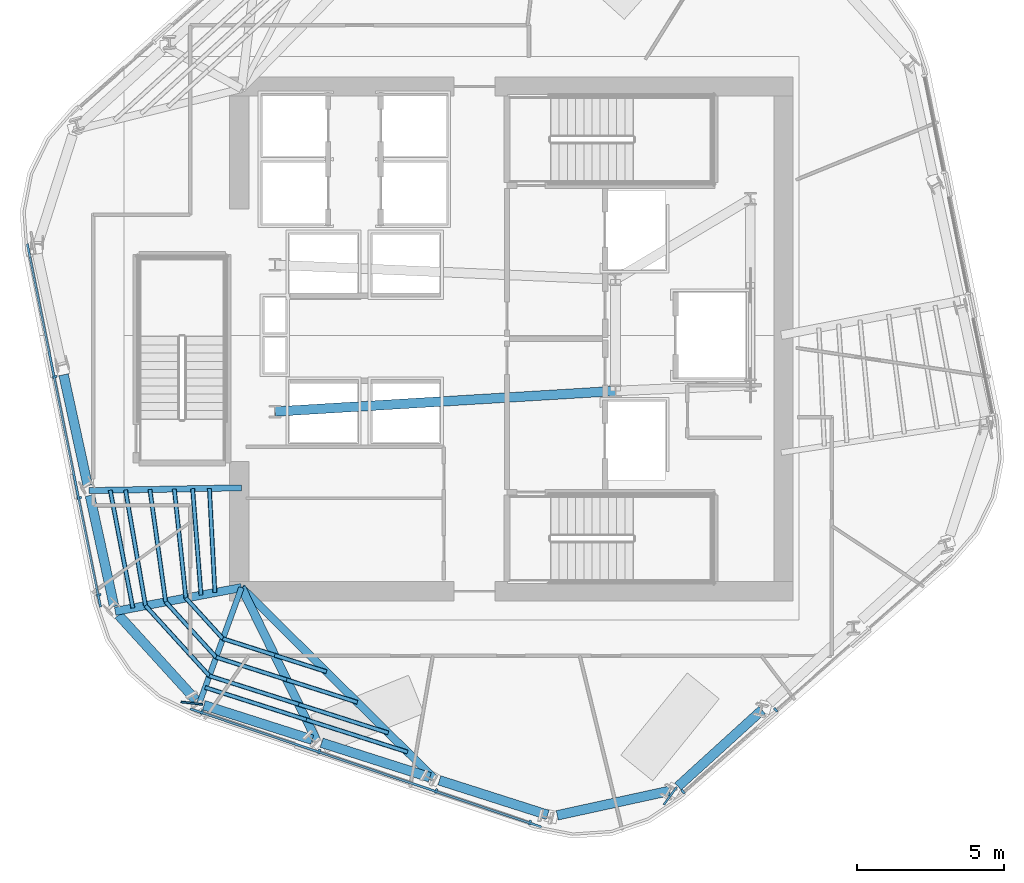
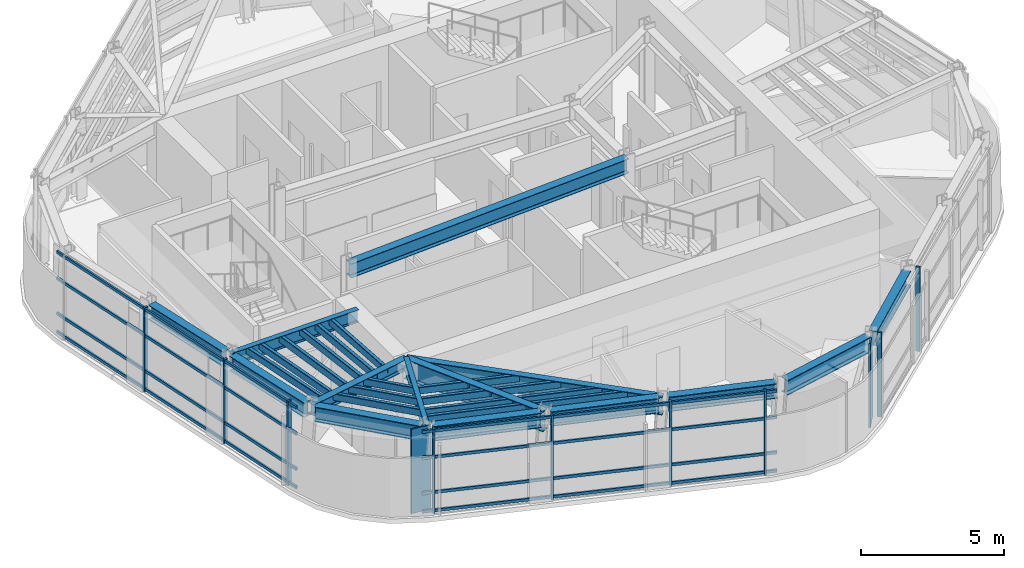
# One storey, part 2 of 15: 36 members, 14 beams, 3 elements without a shape of their own.
"""IFC4 building model written with IfcOpenShell, lengths in metres."""

from ifc_helpers import new_model, si_unit, direction, frame, origin, origin_2d, place, context, subcontext, project, spatial, rectangle, hollow_rectangle, i_section, extrude, material, layer, layer_set, material_profile, profile_set, type_object, element, aggregate, save


model = new_model("IFC4")

# Units and contexts
model_context = context("Model", 3, precision=1e-05, world=origin(), true_north=direction((0.0, 1.0)))
body_context = subcontext(model_context, "Body", "Model", "MODEL_VIEW")
ifc_project = project(units=[si_unit("LENGTHUNIT", "METRE"), si_unit("AREAUNIT", "SQUARE_METRE"), si_unit("VOLUMEUNIT", "CUBIC_METRE"), si_unit("PLANEANGLEUNIT", "RADIAN"), si_unit("MASSUNIT", "GRAM", prefix="KILO")], contexts=[model_context])

# Site, building, storey
site_placement = place(None, origin())
site = spatial("IfcSite", under=ifc_project, at=site_placement, CompositionType="ELEMENT")
building_placement = place(site_placement, origin())
building = spatial("IfcBuilding", under=site, at=building_placement, Name="Valkerne Bourse Tower", CompositionType="ELEMENT")
storey_placement = place(building_placement, frame((0.0, 0.0, 201.800048828125)))
storey = spatial("IfcBuildingStorey", under=building, at=storey_placement, Name="L51", CompositionType="ELEMENT", Elevation=201.800048828125)

# Beams
ifc_material_1 = material(Name="Steel ASTM A992", Category="steel")
ifc_material_profile_1 = material_profile(ifc_material_1, i_section(OverallWidth=0.1904296875, OverallDepth=0.457275390625, WebThickness=0.009033203125, FlangeThickness=0.014404296875, FilletRadius=0.01513671875, at=origin_2d()), Name="W18X50")
ifc_profile_set_1 = profile_set([ifc_material_profile_1], Name="Steel ASTM A992")
beam_type_1 = type_object("IfcBeamType", Name="BM-W18X50", PredefinedType="JOIST", material=ifc_profile_set_1)
beam_1_placement = place(storey_placement, frame((36.16015625, 14.441650390625, 3.371337890625), z_axis=(0.341864062699, 0.939749414809, 0.0), x_axis=(-0.939749414809, 0.341864062699, 0.0)))
element("IfcBeam", 1, at=beam_1_placement, inside=storey, type_object=beam_type_1, Name="L51 Radial Composite Floor Beam 12", PredefinedType="JOIST", context=body_context, shape_type="SweptSolid", body=[
    extrude(i_section(OverallWidth=0.1904296875, OverallDepth=0.457275390625, WebThickness=0.009033203125, FlangeThickness=0.014404296875, FilletRadius=0.01513671875, at=origin_2d()), origin(), (0.0, 0.0, 1.0), 4.2119140625),
])
ifc_material_profile_2 = material_profile(ifc_material_1, i_section(OverallWidth=0.279296875, OverallDepth=0.46240234375, WebThickness=0.0107421875, FlangeThickness=0.017333984375, FilletRadius=0.017822265625, at=origin_2d()), Name="W18X76")
ifc_profile_set_2 = profile_set([ifc_material_profile_2], Name="Steel ASTM A992")
beam_type_2 = type_object("IfcBeamType", Name="BM-W18X76", PredefinedType="BEAM", material=ifc_profile_set_2)
beam_2_placement = place(storey_placement, frame((33.296142578125, 17.589111328125, 3.36865234375), z_axis=(0.982714694077, 0.185126524422, 0.0), x_axis=(-0.185126524422, 0.982714694077, 0.0)))
element("IfcBeam", 2, at=beam_2_placement, inside=storey, type_object=beam_type_2, Name="L51 Radial Composite Floor Beam 11", PredefinedType="BEAM", context=body_context, shape_type="SweptSolid", body=[
    extrude(i_section(OverallWidth=0.279296875, OverallDepth=0.46240234375, WebThickness=0.0107421875, FlangeThickness=0.017333984375, FilletRadius=0.017822265625, at=origin_2d()), origin(), (0.0, 0.0, 1.0), 4.379638671875),
])
ifc_material_profile_3 = material_profile(ifc_material_1, i_section(OverallWidth=0.209228515625, OverallDepth=0.533447265625, WebThickness=0.01025390625, FlangeThickness=0.015625, FilletRadius=0.017822265625, at=origin_2d()), Name="W21X62")
ifc_profile_set_3 = profile_set([ifc_material_profile_3], Name="Steel ASTM A992")
beam_type_3 = type_object("IfcBeamType", Name="BM-W21X62", PredefinedType="JOIST", material=ifc_profile_set_3)
beam_3_placement = place(storey_placement, frame((32.398681640625, 21.70458984375, 3.333251953125), z_axis=(0.999831635412, 0.018349409502, 0.0), x_axis=(-0.018349409502, 0.999831635412, 0.0)))
element("IfcBeam", 3, at=beam_3_placement, inside=storey, type_object=beam_type_3, Name="L51 Radial Composite Floor Beam 10", PredefinedType="JOIST", context=body_context, shape_type="SweptSolid", body=[
    extrude(i_section(OverallWidth=0.209228515625, OverallDepth=0.533447265625, WebThickness=0.01025390625, FlangeThickness=0.015625, FilletRadius=0.017822265625, at=origin_2d()), origin(), (0.0, 0.0, 1.0), 5.202392578125),
])
ifc_material_profile_4 = material_profile(ifc_material_1, i_section(OverallWidth=0.3251953125, OverallDepth=0.612060546875, WebThickness=0.0126953125, FlangeThickness=0.01904296875, FilletRadius=0.020263671875, at=origin_2d()), Name="W24X104")
ifc_profile_set_4 = profile_set([ifc_material_profile_4], Name="Steel ASTM A992")
beam_type_4 = type_object("IfcBeamType", Name="BM-W24X104", PredefinedType="BEAM", material=ifc_profile_set_4)
beam_4_placement = place(storey_placement, frame((38.75, 24.39990234375, 3.2939453125), z_axis=(0.998183228389, 0.060251494276, 0.0), x_axis=(-0.060251494276, 0.998183228389, 0.0)))
element("IfcBeam", 4, at=beam_4_placement, inside=storey, type_object=beam_type_4, Name="L51 Core Frame Girder CG-SW", PredefinedType="BEAM", context=body_context, shape_type="SweptSolid", body=[
    extrude(i_section(OverallWidth=0.3251953125, OverallDepth=0.612060546875, WebThickness=0.0126953125, FlangeThickness=0.01904296875, FilletRadius=0.020263671875, at=origin_2d()), origin(), (0.0, 0.0, 1.0), 11.62109375),
])
ifc_material_profile_5 = material_profile(ifc_material_1, i_section(OverallWidth=0.32763671875, OverallDepth=0.62744140625, WebThickness=0.0166015625, FlangeThickness=0.027587890625, FilletRadius=0.020263671875, at=origin_2d()), Name="W24X146")
ifc_profile_set_5 = profile_set([ifc_material_profile_5], Name="Steel ASTM A992")
beam_type_5 = type_object("IfcBeamType", Name="BM-W24X146", PredefinedType="SPANDREL", material=ifc_profile_set_5)
beam_5_placement = place(storey_placement, frame((31.53759765625, 25.65380859375, 3.2861328125), z_axis=(0.213049984296, -0.97704130117, 0.0), x_axis=(0.97704130117, 0.213049984296, 0.0)))
element("IfcBeam", 5, at=beam_5_placement, inside=storey, type_object=beam_type_5, Name="L51 Hexagonal Spandrel Ring Beam 09", PredefinedType="SPANDREL", context=body_context, shape_type="SweptSolid", body=[
    extrude(i_section(OverallWidth=0.32763671875, OverallDepth=0.62744140625, WebThickness=0.0166015625, FlangeThickness=0.027587890625, FilletRadius=0.020263671875, at=origin_2d()), origin(), (0.0, 0.0, 1.0), 3.8720703125),
])
beam_6_placement = place(storey_placement, frame((32.43505859375, 21.538330078125, 3.2861328125), z_axis=(0.213063109736, -0.977038438993, 0.0), x_axis=(0.977038438993, 0.213063109736, 0.0)))
element("IfcBeam", 6, at=beam_6_placement, inside=storey, type_object=beam_type_5, Name="L51 Hexagonal Spandrel Ring Beam 10", PredefinedType="SPANDREL", context=body_context, shape_type="SweptSolid", body=[
    extrude(i_section(OverallWidth=0.32763671875, OverallDepth=0.62744140625, WebThickness=0.0166015625, FlangeThickness=0.027587890625, FilletRadius=0.020263671875, at=origin_2d()), origin(), (0.0, 0.0, 1.0), 3.871826171875),
])
beam_7_placement = place(storey_placement, frame((33.410400390625, 17.46337890625, 3.2861328125), z_axis=(0.673060621367, -0.739587317337, 0.0), x_axis=(0.739587317337, 0.673060621367, 0.0)))
element("IfcBeam", 7, at=beam_7_placement, inside=storey, type_object=beam_type_5, Name="L51 Hexagonal Spandrel Ring Beam 11", PredefinedType="SPANDREL", context=body_context, shape_type="SweptSolid", body=[
    extrude(i_section(OverallWidth=0.32763671875, OverallDepth=0.62744140625, WebThickness=0.0166015625, FlangeThickness=0.027587890625, FilletRadius=0.020263671875, at=origin_2d()), origin(), (0.0, 0.0, 1.0), 3.915771484375),
])
beam_8_placement = place(storey_placement, frame((36.322265625, 14.389892578125, 3.2861328125), z_axis=(0.952653770716, -0.304057220174, 0.0), x_axis=(0.304057220174, 0.952653770716, 0.0)))
element("IfcBeam", 8, at=beam_8_placement, inside=storey, type_object=beam_type_5, Name="L51 Hexagonal Spandrel Ring Beam 12", PredefinedType="SPANDREL", context=body_context, shape_type="SweptSolid", body=[
    extrude(i_section(OverallWidth=0.32763671875, OverallDepth=0.62744140625, WebThickness=0.0166015625, FlangeThickness=0.027587890625, FilletRadius=0.020263671875, at=origin_2d()), origin(), (0.0, 0.0, 1.0), 3.871826171875),
])
beam_9_placement = place(storey_placement, frame((40.334716796875, 13.109375, 3.2861328125), z_axis=(0.952659599791, -0.304038956264, 0.0), x_axis=(0.304038956264, 0.952659599791, 0.0)))
element("IfcBeam", 9, at=beam_9_placement, inside=storey, type_object=beam_type_5, Name="L51 Hexagonal Spandrel Ring Beam 13", PredefinedType="SPANDREL", context=body_context, shape_type="SweptSolid", body=[
    extrude(i_section(OverallWidth=0.32763671875, OverallDepth=0.62744140625, WebThickness=0.0166015625, FlangeThickness=0.027587890625, FilletRadius=0.020263671875, at=origin_2d()), origin(), (0.0, 0.0, 1.0), 3.8720703125),
])
beam_10_placement = place(storey_placement, frame((44.347412109375, 11.82861328125, 3.2861328125), z_axis=(0.952672034299, -0.303999991882, 0.0), x_axis=(0.303999991882, 0.952672034299, 0.0)))
element("IfcBeam", 10, at=beam_10_placement, inside=storey, type_object=beam_type_5, Name="L51 Hexagonal Spandrel Ring Beam 14", PredefinedType="SPANDREL", context=body_context, shape_type="SweptSolid", body=[
    extrude(i_section(OverallWidth=0.32763671875, OverallDepth=0.62744140625, WebThickness=0.0166015625, FlangeThickness=0.027587890625, FilletRadius=0.020263671875, at=origin_2d()), origin(), (0.0, 0.0, 1.0), 3.871826171875),
])
beam_11_placement = place(storey_placement, frame((48.364013671875, 10.635986328125, 3.2861328125), z_axis=(0.977043375645, 0.213040470588, 0.0), x_axis=(-0.213040470588, 0.977043375645, 0.0)))
element("IfcBeam", 11, at=beam_11_placement, inside=storey, type_object=beam_type_5, Name="L51 Hexagonal Spandrel Ring Beam 15", PredefinedType="SPANDREL", context=body_context, shape_type="SweptSolid", body=[
    extrude(i_section(OverallWidth=0.32763671875, OverallDepth=0.62744140625, WebThickness=0.0166015625, FlangeThickness=0.027587890625, FilletRadius=0.020263671875, at=origin_2d()), origin(), (0.0, 0.0, 1.0), 3.915771484375),
])
beam_12_placement = place(storey_placement, frame((52.481689453125, 11.620849609375, 3.2861328125), z_axis=(0.739643294031, 0.672999106682, 0.0), x_axis=(-0.672999106682, 0.739643294031, 0.0)))
element("IfcBeam", 12, at=beam_12_placement, inside=storey, type_object=beam_type_5, Name="L51 Hexagonal Spandrel Ring Beam 16", PredefinedType="SPANDREL", context=body_context, shape_type="SweptSolid", body=[
    extrude(i_section(OverallWidth=0.32763671875, OverallDepth=0.62744140625, WebThickness=0.0166015625, FlangeThickness=0.027587890625, FilletRadius=0.020263671875, at=origin_2d()), origin(), (0.0, 0.0, 1.0), 3.8720703125),
])
ifc_material_profile_6 = material_profile(ifc_material_1, i_section(OverallWidth=0.26806640625, OverallDepth=0.76953125, WebThickness=0.015625, FlangeThickness=0.025390625, FilletRadius=0.025390625, at=origin_2d()), Name="W30X132")
ifc_profile_set_6 = profile_set([ifc_material_profile_6], Name="Steel ASTM A992")
beam_type_6 = type_object("IfcBeamType", Name="BM-W30X132", PredefinedType="BEAM", material=ifc_profile_set_6)
beam_13_placement = place(storey_placement, frame((44.185302734375, 11.88037109375, 3.215087890625), z_axis=(-0.710641492993, 0.703554310936, 0.0), x_axis=(-0.703554310936, -0.710641492993, 0.0)))
element("IfcBeam", 13, at=beam_13_placement, inside=storey, type_object=beam_type_6, Name="L51 Radial Composite Floor Beam 14", PredefinedType="BEAM", context=body_context, shape_type="SweptSolid", body=[
    extrude(i_section(OverallWidth=0.26806640625, OverallDepth=0.76953125, WebThickness=0.015625, FlangeThickness=0.025390625, FilletRadius=0.025390625, at=origin_2d()), origin(), (0.0, 0.0, 1.0), 9.2666015625),
])
ifc_material_profile_7 = material_profile(ifc_material_1, i_section(OverallWidth=0.2919921875, OverallDepth=0.8583984375, WebThickness=0.01708984375, FlangeThickness=0.031005859375, FilletRadius=0.025390625, at=origin_2d()), Name="W33X169")
ifc_profile_set_7 = profile_set([ifc_material_profile_7], Name="Steel ASTM A992")
beam_type_7 = type_object("IfcBeamType", Name="BM-W33X169", PredefinedType="BEAM", material=ifc_profile_set_7)
beam_14_placement = place(storey_placement, frame((40.1728515625, 13.160888671875, 3.170654296875), z_axis=(-0.440793915777, 0.897608335419, 0.0), x_axis=(-0.897608335419, -0.440793915777, 0.0)))
element("IfcBeam", 14, at=beam_14_placement, inside=storey, type_object=beam_type_7, Name="L51 Radial Composite Floor Beam 13", PredefinedType="BEAM", context=body_context, shape_type="SweptSolid", body=[
    extrude(i_section(OverallWidth=0.2919921875, OverallDepth=0.8583984375, WebThickness=0.01708984375, FlangeThickness=0.031005859375, FilletRadius=0.025390625, at=origin_2d()), origin(), (0.0, 0.0, 1.0), 5.836669921875),
])

# Curtain wall, members
ifc_material_2 = material(Name="Aluminium AA 6063-T6", Category="aluminium")
ifc_layer = layer(ifc_material_2, 0.239990234375)
ifc_layer_set = layer_set([ifc_layer], Name="Aluminium AA 6063-T6")
curtain_wall_type = type_object("IfcCurtainWallType", Name="CW-04", PredefinedType="NOTDEFINED", material=ifc_layer_set)
curtain_wall_1_placement = place(storey_placement, origin())
curtain_wall_1 = element("IfcCurtainWall", 15, at=curtain_wall_1_placement, inside=storey, type_object=curtain_wall_type, Name="L51 Hexagonal Stick Curtain Wall Face 3", PredefinedType="NOTDEFINED")
ifc_material_profile_8 = material_profile(ifc_material_2, rectangle(XDim=0.074951171875, YDim=0.159912109375, at=origin_2d()), Name="CWM-75X160")
ifc_profile_set_8 = profile_set([ifc_material_profile_8], Name="Aluminium AA 6063-T6")
member_type_1 = type_object("IfcMemberType", Name="CW-MUL-160X75", PredefinedType="MULLION", material=ifc_profile_set_8)
member_1_placement = place(storey_placement, frame((31.234619140625, 25.581298828125, 0.0), z_axis=(0.0, 0.0, 1.0), x_axis=(0.197672790823, -0.980268059139, 0.0)))
member_1 = element("IfcMember", 16, at=member_1_placement, type_object=member_type_1, Name="CW-L51-F3 Jamb Mullion 01A", PredefinedType="MULLION", context=body_context, shape_type="SweptSolid", body=[
    extrude(rectangle(XDim=0.074951171875, YDim=0.159912109375, at=origin_2d()), origin(), (0.0, 0.0, 1.0), 3.599853515625),
])
member_2_placement = place(storey_placement, frame((32.067138671875, 21.452392578125, 0.0), z_axis=(0.0, 0.0, 1.0), x_axis=(0.197649976729, -0.980272659365, 0.0)))
member_2 = element("IfcMember", 17, at=member_2_placement, type_object=member_type_1, Name="CW-L51-F3 Jamb Mullion 02A", PredefinedType="MULLION", context=body_context, shape_type="SweptSolid", body=[
    extrude(rectangle(XDim=0.074951171875, YDim=0.159912109375, at=origin_2d()), origin(), (0.0, 0.0, 1.0), 3.599853515625),
])
member_3_placement = place(storey_placement, frame((32.733642578125, 18.14697265625, 0.0), z_axis=(0.0, 0.0, 1.0), x_axis=(0.197649976729, -0.980272659365, 0.0)))
member_3 = element("IfcMember", 18, at=member_3_placement, type_object=member_type_1, Name="CW-L51-F3 Jamb Mullion 02B", PredefinedType="MULLION", context=body_context, shape_type="SweptSolid", body=[
    extrude(rectangle(XDim=0.074951171875, YDim=0.159912109375, at=origin_2d()), origin(), (0.0, 0.0, 1.0), 3.599853515625),
])

curtain_wall_2_placement = place(storey_placement, origin())
curtain_wall_2 = element("IfcCurtainWall", 19, at=curtain_wall_2_placement, inside=storey, type_object=curtain_wall_type, Name="L51 Hexagonal Stick Curtain Wall Face 4", PredefinedType="NOTDEFINED")
member_4_placement = place(storey_placement, frame((36.25390625, 14.154052734375, 0.0), z_axis=(0.0, 0.0, 1.0), x_axis=(0.947765282769, -0.318968601555, 0.0)))
member_4 = element("IfcMember", 20, at=member_4_placement, type_object=member_type_1, Name="CW-L51-F4 Jamb Mullion 00A", PredefinedType="MULLION", context=body_context, shape_type="SweptSolid", body=[
    extrude(rectangle(XDim=0.074951171875, YDim=0.159912109375, at=origin_2d()), origin(), (0.0, 0.0, 1.0), 3.599853515625),
])
member_5_placement = place(storey_placement, frame((40.245849609375, 12.810546875, 0.0), z_axis=(0.0, 0.0, 1.0), x_axis=(0.947772459851, -0.318947275184, 0.0)))
member_5 = element("IfcMember", 21, at=member_5_placement, type_object=member_type_1, Name="CW-L51-F4 Jamb Mullion 01A", PredefinedType="MULLION", context=body_context, shape_type="SweptSolid", body=[
    extrude(rectangle(XDim=0.074951171875, YDim=0.159912109375, at=origin_2d()), origin(), (0.0, 0.0, 1.0), 3.599853515625),
])
member_6_placement = place(storey_placement, frame((44.23779296875, 11.46728515625, 0.0), z_axis=(0.0, 0.0, 1.0), x_axis=(0.947765282769, -0.318968601555, 0.0)))
member_6 = element("IfcMember", 22, at=member_6_placement, type_object=member_type_1, Name="CW-L51-F4 Jamb Mullion 02A", PredefinedType="MULLION", context=body_context, shape_type="SweptSolid", body=[
    extrude(rectangle(XDim=0.074951171875, YDim=0.159912109375, at=origin_2d()), origin(), (0.0, 0.0, 1.0), 3.599853515625),
])
member_7_placement = place(storey_placement, frame((47.43359375, 10.3916015625, 0.0), z_axis=(0.0, 0.0, 1.0), x_axis=(0.947765282769, -0.318968601555, 0.0)))
member_7 = element("IfcMember", 23, at=member_7_placement, type_object=member_type_1, Name="CW-L51-F4 Jamb Mullion 02B", PredefinedType="MULLION", context=body_context, shape_type="SweptSolid", body=[
    extrude(rectangle(XDim=0.074951171875, YDim=0.159912109375, at=origin_2d()), origin(), (0.0, 0.0, 1.0), 3.599853515625),
])

curtain_wall_3_placement = place(storey_placement, origin())
curtain_wall_3 = element("IfcCurtainWall", 24, at=curtain_wall_3_placement, inside=storey, type_object=curtain_wall_type, Name="L51 Hexagonal Stick Curtain Wall Face 5", PredefinedType="NOTDEFINED")
member_8_placement = place(storey_placement, frame((52.65185546875, 11.44384765625, 0.0), z_axis=(0.0, 0.0, 1.0), x_axis=(0.750119777976, 0.661301987513, 0.0)))
member_8 = element("IfcMember", 25, at=member_8_placement, type_object=member_type_1, Name="CW-L51-F5 Jamb Mullion 00A", PredefinedType="MULLION", context=body_context, shape_type="SweptSolid", body=[
    extrude(rectangle(XDim=0.074951171875, YDim=0.159912109375, at=origin_2d()), origin(), (0.0, 0.0, 1.0), 3.599853515625),
])
member_9_placement = place(storey_placement, frame((55.811279296875, 14.229248046875, 0.0), z_axis=(0.0, 0.0, 1.0), x_axis=(0.750097617551, 0.6613271234, 0.0)))
member_9 = element("IfcMember", 26, at=member_9_placement, type_object=member_type_1, Name="CW-L51-F5 Jamb Mullion 01A", PredefinedType="MULLION", context=body_context, shape_type="SweptSolid", body=[
    extrude(rectangle(XDim=0.074951171875, YDim=0.159912109375, at=origin_2d()), origin(), (0.0, 0.0, 1.0), 3.599853515625),
])
aggregate(curtain_wall_3, [member_8, member_9])

# Member
ifc_material_profile_9 = material_profile(ifc_material_2, rectangle(XDim=0.074951171875, YDim=0.1201171875, at=origin_2d()), Name="CWT-75X120")
ifc_profile_set_9 = profile_set([ifc_material_profile_9], Name="Aluminium AA 6063-T6")
member_type_2 = type_object("IfcMemberType", Name="CW-TRN-120X75", PredefinedType="USERDEFINED", material=ifc_profile_set_9)
member_10_placement = place(storey_placement, frame((30.29931640625, 30.117919921875, 0.119873046875), z_axis=(0.197672711236, -0.980268075188, 0.0), x_axis=(0.980268075188, 0.197672711236, 0.0)))
member_10 = element("IfcMember", 27, at=member_10_placement, type_object=member_type_2, Name="CW-L51-F3 Continuous Face Transom 1", ObjectType="TRANSOM", PredefinedType="USERDEFINED", context=body_context, shape_type="SweptSolid", body=[
    extrude(rectangle(XDim=0.074951171875, YDim=0.1201171875, at=origin_2d()), origin(), (0.0, 0.0, 1.0), 12.635986328125),
])

member_11_placement = place(storey_placement, frame((30.29931640625, 30.117919921875, 0.89990234375), z_axis=(0.197672711236, -0.980268075188, 0.0), x_axis=(0.980268075188, 0.197672711236, 0.0)))
member_11 = element("IfcMember", 28, at=member_11_placement, type_object=member_type_2, Name="CW-L51-F3 Continuous Face Transom 2", ObjectType="TRANSOM", PredefinedType="USERDEFINED", context=body_context, shape_type="SweptSolid", body=[
    extrude(rectangle(XDim=0.074951171875, YDim=0.1201171875, at=origin_2d()), origin(), (0.0, 0.0, 1.0), 12.635986328125),
])

member_12_placement = place(storey_placement, frame((30.29931640625, 30.117919921875, 2.39990234375), z_axis=(0.197672711236, -0.980268075188, 0.0), x_axis=(0.980268075188, 0.197672711236, 0.0)))
member_12 = element("IfcMember", 29, at=member_12_placement, type_object=member_type_2, Name="CW-L51-F3 Continuous Face Transom 3", ObjectType="TRANSOM", PredefinedType="USERDEFINED", context=body_context, shape_type="SweptSolid", body=[
    extrude(rectangle(XDim=0.074951171875, YDim=0.1201171875, at=origin_2d()), origin(), (0.0, 0.0, 1.0), 12.635986328125),
])

member_13_placement = place(storey_placement, frame((30.29931640625, 30.117919921875, 3.52001953125), z_axis=(0.197672711236, -0.980268075188, 0.0), x_axis=(0.980268075188, 0.197672711236, 0.0)))
member_13 = element("IfcMember", 30, at=member_13_placement, type_object=member_type_2, Name="CW-L51-F3 Continuous Face Transom 4", ObjectType="TRANSOM", PredefinedType="USERDEFINED", context=body_context, shape_type="SweptSolid", body=[
    extrude(rectangle(XDim=0.074951171875, YDim=0.1201171875, at=origin_2d()), origin(), (0.0, 0.0, 1.0), 12.635986328125),
])

aggregate(curtain_wall_1, [member_10, member_11, member_12, member_13, member_1, member_2, member_3])

member_14_placement = place(storey_placement, frame((35.849365234375, 14.26904296875, 0.119873046875), z_axis=(0.947771300516, -0.318950720204, 0.0), x_axis=(0.318950720204, 0.947771300516, 0.0)))
member_14 = element("IfcMember", 31, at=member_14_placement, type_object=member_type_2, Name="CW-L51-F4 Continuous Face Transom 1", ObjectType="TRANSOM", PredefinedType="USERDEFINED", context=body_context, shape_type="SweptSolid", body=[
    extrude(rectangle(XDim=0.074951171875, YDim=0.1201171875, at=origin_2d()), origin(), (0.0, 0.0, 1.0), 12.635986328125),
])

member_15_placement = place(storey_placement, frame((35.849365234375, 14.26904296875, 0.89990234375), z_axis=(0.947771300516, -0.318950720204, 0.0), x_axis=(0.318950720204, 0.947771300516, 0.0)))
member_15 = element("IfcMember", 32, at=member_15_placement, type_object=member_type_2, Name="CW-L51-F4 Continuous Face Transom 2", ObjectType="TRANSOM", PredefinedType="USERDEFINED", context=body_context, shape_type="SweptSolid", body=[
    extrude(rectangle(XDim=0.074951171875, YDim=0.1201171875, at=origin_2d()), origin(), (0.0, 0.0, 1.0), 12.635986328125),
])

member_16_placement = place(storey_placement, frame((35.849365234375, 14.26904296875, 2.39990234375), z_axis=(0.947771300516, -0.318950720204, 0.0), x_axis=(0.318950720204, 0.947771300516, 0.0)))
member_16 = element("IfcMember", 33, at=member_16_placement, type_object=member_type_2, Name="CW-L51-F4 Continuous Face Transom 3", ObjectType="TRANSOM", PredefinedType="USERDEFINED", context=body_context, shape_type="SweptSolid", body=[
    extrude(rectangle(XDim=0.074951171875, YDim=0.1201171875, at=origin_2d()), origin(), (0.0, 0.0, 1.0), 12.635986328125),
])

member_17_placement = place(storey_placement, frame((35.849365234375, 14.26904296875, 3.52001953125), z_axis=(0.947771300516, -0.318950720204, 0.0), x_axis=(0.318950720204, 0.947771300516, 0.0)))
member_17 = element("IfcMember", 34, at=member_17_placement, type_object=member_type_2, Name="CW-L51-F4 Continuous Face Transom 4", ObjectType="TRANSOM", PredefinedType="USERDEFINED", context=body_context, shape_type="SweptSolid", body=[
    extrude(rectangle(XDim=0.074951171875, YDim=0.1201171875, at=origin_2d()), origin(), (0.0, 0.0, 1.0), 12.635986328125),
])

aggregate(curtain_wall_2, [member_14, member_15, member_16, member_17, member_4, member_5, member_6, member_7])

# Members
ifc_material_3 = material(Name="Bronze Anodised Aluminium AA 6063-T6", Category="aluminium")
ifc_material_profile_10 = material_profile(ifc_material_3, rectangle(XDim=0.06494140625, YDim=0.75, at=origin_2d()), Name="FIN-65X750")
ifc_profile_set_10 = profile_set([ifc_material_profile_10], Name="Bronze Anodised Aluminium AA 6063-T6")
member_type_3 = type_object("IfcMemberType", Name="FIN-SOLAR-650", PredefinedType="USERDEFINED", material=ifc_profile_set_10)
for number, where, z_axis, x_axis, name in (
    (35, (35.9130859375, 14.458740234375, 0.00390625), (0.0, 0.0, 1.0), (-0.117380153608, -0.993087055368, 0.0), "L51 Bronze Anodised Solar Fin F4-00"),
    (36, (52.2177734375, 11.301025390625, 0.00390625), (0.0, 0.0, 1.0), (0.80667211329, -0.590999239966, 0.0), "L51 Bronze Anodised Solar Fin F5-00"),
):
    element("IfcMember", number, at=place(storey_placement, frame(where, z_axis=z_axis, x_axis=x_axis)), inside=storey, type_object=member_type_3, Name=name, ObjectType="SOLAR_FIN", PredefinedType="USERDEFINED", context=body_context, shape_type="SweptSolid", body=[
        extrude(rectangle(XDim=0.06494140625, YDim=0.75, at=origin_2d()), origin(), (0.0, 0.0, 1.0), 3.592041015625),
    ])
ifc_material_4 = material(Name="Steel ASTM A500 Grade C", Category="steel")
ifc_material_profile_11 = material_profile(ifc_material_4, hollow_rectangle(XDim=0.14990234375, YDim=0.300048828125, WallThickness=0.012451171875, OuterFilletRadius=0.02490234375, at=origin_2d()), Name="HSS300X150X12.5")
ifc_profile_set_11 = profile_set([ifc_material_profile_11], Name="Steel ASTM A500 Grade C")
member_type_4 = type_object("IfcMemberType", Name="MBR-HSS300X150X12.5", PredefinedType="PURLIN", material=ifc_profile_set_11)
member_18_placement = place(storey_placement, frame((35.935546875, 21.769287109375, 3.43994140625), z_axis=(0.078937516738, -0.99687956567, 0.0), x_axis=(0.99687956567, 0.078937516738, 0.0)))
element("IfcMember", 37, at=member_18_placement, inside=storey, type_object=member_type_4, Name="L51 Secondary Composite Floor Purlin I-10", PredefinedType="PURLIN", context=body_context, shape_type="SweptSolid", body=[
    extrude(hollow_rectangle(XDim=0.14990234375, YDim=0.300048828125, WallThickness=0.012451171875, OuterFilletRadius=0.02490234375, at=origin_2d()), origin(), (0.0, 0.0, 1.0), 3.640380859375),
])
member_19_placement = place(storey_placement, frame((35.3115234375, 21.758056640625, 3.43994140625), z_axis=(0.10567468587, -0.994400754609, 0.0), x_axis=(0.994400754609, 0.10567468587, 0.0)))
element("IfcMember", 38, at=member_19_placement, inside=storey, type_object=member_type_4, Name="L51 Secondary Composite Floor Purlin K-10", PredefinedType="PURLIN", context=body_context, shape_type="SweptSolid", body=[
    extrude(hollow_rectangle(XDim=0.14990234375, YDim=0.300048828125, WallThickness=0.012451171875, OuterFilletRadius=0.02490234375, at=origin_2d()), origin(), (0.0, 0.0, 1.0), 3.73583984375),
])
member_20_placement = place(storey_placement, frame((35.706298828125, 18.043212890625, 3.43994140625), z_axis=(0.673010172453, -0.73963322517, 0.0), x_axis=(0.73963322517, 0.673010172453, 0.0)))
element("IfcMember", 39, at=member_20_placement, inside=storey, type_object=member_type_4, Name="L51 Secondary Composite Floor Purlin K-11", PredefinedType="PURLIN", context=body_context, shape_type="SweptSolid", body=[
    extrude(hollow_rectangle(XDim=0.14990234375, YDim=0.300048828125, WallThickness=0.012451171875, OuterFilletRadius=0.02490234375, at=origin_2d()), origin(), (0.0, 0.0, 1.0), 1.87255859375),
])
member_21_placement = place(storey_placement, frame((36.966552734375, 16.658203125, 3.43994140625), z_axis=(0.95265027984, -0.30406815736, 0.0), x_axis=(0.30406815736, 0.95265027984, 0.0)))
element("IfcMember", 40, at=member_21_placement, inside=storey, type_object=member_type_4, Name="L51 Secondary Composite Floor Purlin K-12", PredefinedType="PURLIN", context=body_context, shape_type="SweptSolid", body=[
    extrude(hollow_rectangle(XDim=0.14990234375, YDim=0.300048828125, WallThickness=0.012451171875, OuterFilletRadius=0.02490234375, at=origin_2d()), origin(), (0.0, 0.0, 1.0), 1.85302734375),
])
member_22_placement = place(storey_placement, frame((38.73193359375, 16.0947265625, 3.43994140625), z_axis=(0.95270060606, -0.303910439461, 0.0), x_axis=(0.303910439461, 0.95270060606, 0.0)))
element("IfcMember", 41, at=member_22_placement, inside=storey, type_object=member_type_4, Name="L51 Secondary Composite Floor Purlin K-13", PredefinedType="PURLIN", context=body_context, shape_type="SweptSolid", body=[
    extrude(hollow_rectangle(XDim=0.14990234375, YDim=0.300048828125, WallThickness=0.012451171875, OuterFilletRadius=0.02490234375, at=origin_2d()), origin(), (0.0, 0.0, 1.0), 1.853271484375),
])
member_23_placement = place(storey_placement, frame((33.647216796875, 21.727294921875, 3.43994140625), z_axis=(0.170380830881, -0.985378289018, 0.0), x_axis=(0.985378289018, 0.170380830881, 0.0)))
element("IfcMember", 42, at=member_23_placement, inside=storey, type_object=member_type_4, Name="L51 Secondary Composite Floor Purlin O-10", PredefinedType="PURLIN", context=body_context, shape_type="SweptSolid", body=[
    extrude(hollow_rectangle(XDim=0.14990234375, YDim=0.300048828125, WallThickness=0.012451171875, OuterFilletRadius=0.02490234375, at=origin_2d()), origin(), (0.0, 0.0, 1.0), 4.002197265625),
])
member_24_placement = place(storey_placement, frame((34.3291015625, 17.78369140625, 3.43994140625), z_axis=(0.673033407485, -0.739612082384, 0.0), x_axis=(0.739612082384, 0.673033407485, 0.0)))
element("IfcMember", 43, at=member_24_placement, inside=storey, type_object=member_type_4, Name="L51 Secondary Composite Floor Purlin O-11", PredefinedType="PURLIN", context=body_context, shape_type="SweptSolid", body=[
    extrude(hollow_rectangle(XDim=0.14990234375, YDim=0.300048828125, WallThickness=0.012451171875, OuterFilletRadius=0.02490234375, at=origin_2d()), origin(), (0.0, 0.0, 1.0), 3.234130859375),
])
for number, where, z_axis, x_axis, name in (
    (44, (36.505859375, 15.3916015625, 3.43994140625), (0.952670021067, -0.304006300855, 0.0), (0.304006300855, 0.952670021067, 0.0), "L51 Secondary Composite Floor Purlin O-12"),
    (45, (39.555419921875, 14.41845703125, 3.43994140625), (0.952647930354, -0.304075518239, 0.0), (0.304075518239, 0.952647930354, 0.0), "L51 Secondary Composite Floor Purlin O-13"),
):
    element("IfcMember", number, at=place(storey_placement, frame(where, z_axis=z_axis, x_axis=x_axis)), inside=storey, type_object=member_type_4, Name=name, PredefinedType="PURLIN", context=body_context, shape_type="SweptSolid", body=[
        extrude(hollow_rectangle(XDim=0.14990234375, YDim=0.300048828125, WallThickness=0.012451171875, OuterFilletRadius=0.02490234375, at=origin_2d()), origin(), (0.0, 0.0, 1.0), 3.201171875),
    ])
member_25_placement = place(storey_placement, frame((34.479248046875, 21.74267578125, 3.43994140625), z_axis=(0.139220004715, -0.990261475716, 0.0), x_axis=(0.990261475716, 0.139220004715, 0.0)))
element("IfcMember", 46, at=member_25_placement, inside=storey, type_object=member_type_4, Name="L51 Secondary Composite Floor Purlin Z-10", PredefinedType="PURLIN", context=body_context, shape_type="SweptSolid", body=[
    extrude(hollow_rectangle(XDim=0.14990234375, YDim=0.300048828125, WallThickness=0.012451171875, OuterFilletRadius=0.02490234375, at=origin_2d()), origin(), (0.0, 0.0, 1.0), 3.86669921875),
])
member_26_placement = place(storey_placement, frame((35.017578125, 17.91357421875, 3.43994140625), z_axis=(0.673001090829, -0.739641488657, 0.0), x_axis=(0.739641488657, 0.673001090829, 0.0)))
element("IfcMember", 47, at=member_26_placement, inside=storey, type_object=member_type_4, Name="L51 Secondary Composite Floor Purlin Z-11", PredefinedType="PURLIN", context=body_context, shape_type="SweptSolid", body=[
    extrude(hollow_rectangle(XDim=0.14990234375, YDim=0.300048828125, WallThickness=0.012451171875, OuterFilletRadius=0.02490234375, at=origin_2d()), origin(), (0.0, 0.0, 1.0), 2.553466796875),
])
member_27_placement = place(storey_placement, frame((36.736083984375, 16.02490234375, 3.43994140625), z_axis=(0.95267171209, -0.304001001617, 0.0), x_axis=(0.304001001617, 0.95267171209, 0.0)))
element("IfcMember", 48, at=member_27_placement, inside=storey, type_object=member_type_4, Name="L51 Secondary Composite Floor Purlin Z-12", PredefinedType="PURLIN", context=body_context, shape_type="SweptSolid", body=[
    extrude(hollow_rectangle(XDim=0.14990234375, YDim=0.300048828125, WallThickness=0.012451171875, OuterFilletRadius=0.02490234375, at=origin_2d()), origin(), (0.0, 0.0, 1.0), 2.52734375),
])
member_28_placement = place(storey_placement, frame((39.143798828125, 15.256591796875, 3.43994140625), z_axis=(0.952662783389, -0.304028980765, 0.0), x_axis=(0.304028980765, 0.952662783389, 0.0)))
element("IfcMember", 49, at=member_28_placement, inside=storey, type_object=member_type_4, Name="L51 Secondary Composite Floor Purlin Z-13", PredefinedType="PURLIN", context=body_context, shape_type="SweptSolid", body=[
    extrude(hollow_rectangle(XDim=0.14990234375, YDim=0.300048828125, WallThickness=0.012451171875, OuterFilletRadius=0.02490234375, at=origin_2d()), origin(), (0.0, 0.0, 1.0), 2.527099609375),
])
member_29_placement = place(storey_placement, frame((36.5078125, 21.77978515625, 3.43994140625), z_axis=(0.053016593323, -0.99859363148, 0.0), x_axis=(0.99859363148, 0.053016593323, 0.0)))
element("IfcMember", 50, at=member_29_placement, inside=storey, type_object=member_type_4, Name="L51 Secondary Composite Floor Purlin S-10", PredefinedType="PURLIN", context=body_context, shape_type="SweptSolid", body=[
    extrude(hollow_rectangle(XDim=0.14990234375, YDim=0.300048828125, WallThickness=0.012451171875, OuterFilletRadius=0.02490234375, at=origin_2d()), origin(), (0.0, 0.0, 1.0), 3.554931640625),
])
member_30_placement = place(storey_placement, frame((33.126953125, 21.718017578125, 3.43994140625), z_axis=(0.18873887787, -0.982027309183, 0.0), x_axis=(0.982027309183, 0.18873887787, 0.0)))
element("IfcMember", 51, at=member_30_placement, inside=storey, type_object=member_type_4, Name="L51 Secondary Composite Floor Purlin T-10", PredefinedType="PURLIN", context=body_context, shape_type="SweptSolid", body=[
    extrude(hollow_rectangle(XDim=0.14990234375, YDim=0.300048828125, WallThickness=0.012451171875, OuterFilletRadius=0.02490234375, at=origin_2d()), origin(), (0.0, 0.0, 1.0), 4.0888671875),
])
member_31_placement = place(storey_placement, frame((36.36181640625, 14.995849609375, 3.43994140625), z_axis=(0.95265630354, -0.304049284369, 0.0), x_axis=(0.304049284369, 0.95265630354, 0.0)))
element("IfcMember", 52, at=member_31_placement, inside=storey, type_object=member_type_4, Name="L51 Secondary Composite Floor Purlin T-12", PredefinedType="PURLIN", context=body_context, shape_type="SweptSolid", body=[
    extrude(hollow_rectangle(XDim=0.14990234375, YDim=0.300048828125, WallThickness=0.012451171875, OuterFilletRadius=0.02490234375, at=origin_2d()), origin(), (0.0, 0.0, 1.0), 3.6220703125),
])
member_32_placement = place(storey_placement, frame((39.8125, 13.89453125, 3.43994140625), z_axis=(0.95266253396, -0.304029762341, 0.0), x_axis=(0.304029762341, 0.95266253396, 0.0)))
element("IfcMember", 53, at=member_32_placement, inside=storey, type_object=member_type_4, Name="L51 Secondary Composite Floor Purlin T-13", PredefinedType="PURLIN", context=body_context, shape_type="SweptSolid", body=[
    extrude(hollow_rectangle(XDim=0.14990234375, YDim=0.300048828125, WallThickness=0.012451171875, OuterFilletRadius=0.02490234375, at=origin_2d()), origin(), (0.0, 0.0, 1.0), 3.622314453125),
])

save(model, "model.ifc")
